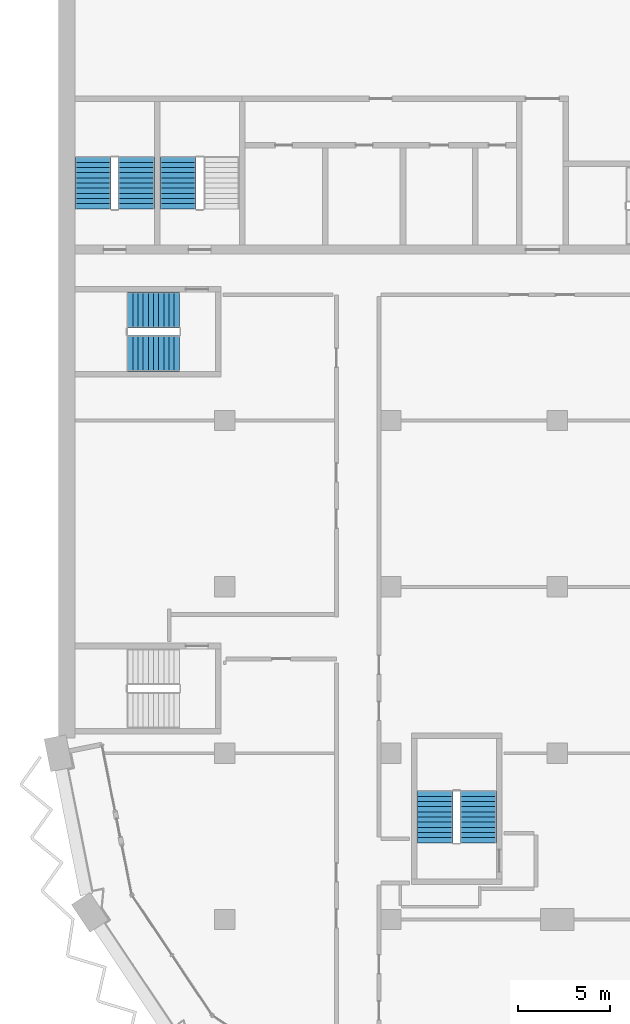
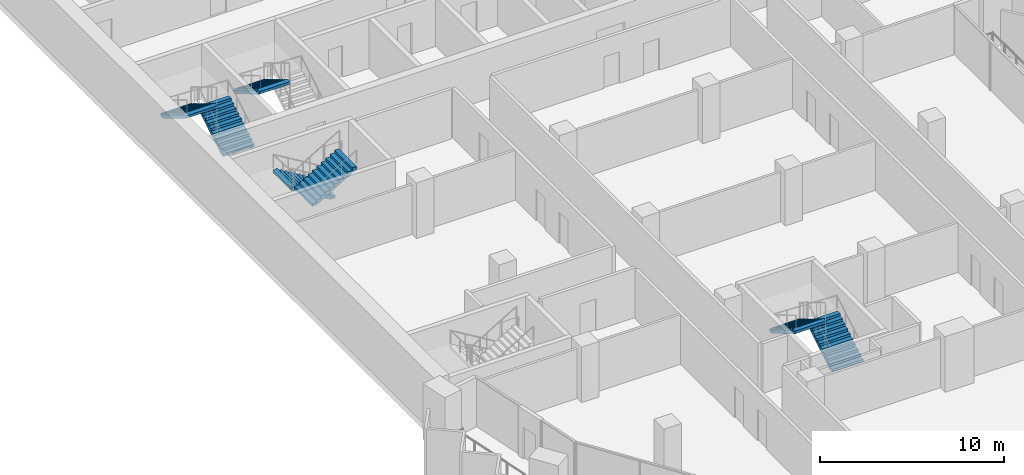
# One storey, part 12 of 17: 7 stair flights, 4 elements without a shape of their own.
"""IFC4 building model written with IfcOpenShell, lengths in metres."""

from ifc_helpers import new_model, si_unit, direction, frame, origin, place, context, subcontext, project, spatial, polyline, outline, extrude, material, type_object, element, aggregate, save


model = new_model("IFC4")

# Units and contexts
model_context = context("Model", 3, precision=1e-05, world=origin(), true_north=direction((0.0, 1.0)))
body_context = subcontext(model_context, "Body", "Model", "MODEL_VIEW")
ifc_project = project(units=[si_unit("LENGTHUNIT", "METRE"), si_unit("AREAUNIT", "SQUARE_METRE"), si_unit("VOLUMEUNIT", "CUBIC_METRE"), si_unit("PLANEANGLEUNIT", "RADIAN"), si_unit("MASSUNIT", "GRAM", prefix="KILO")], contexts=[model_context])

# Site, building, storey
site_placement = place(None, origin())
site = spatial("IfcSite", under=ifc_project, at=site_placement, CompositionType="ELEMENT")
building_placement = place(site_placement, origin())
building = spatial("IfcBuilding", under=site, at=building_placement, Name="Hunhe Ridgeline Campus", CompositionType="ELEMENT")
storey_placement = place(building_placement, frame((0.0, 0.0, 190.199951171875)))
storey = spatial("IfcBuildingStorey", under=building, at=storey_placement, Name="L48", CompositionType="ELEMENT", Elevation=190.199951171875)

# Stair, stair flights
ifc_material = material(Name="Concrete C40", Category="concrete")
stair_type = type_object("IfcStairType", Name="Reinforced concrete dog-leg stair 1950 Concrete C40", PredefinedType="HALF_TURN_STAIR", material=ifc_material)
stair_1_placement = place(storey_placement, origin())
stair_1 = element("IfcStair", 1, at=stair_1_placement, inside=storey, type_object=stair_type, Name="L48 S3", PredefinedType="HALF_TURN_STAIR")
stair_flight_type = type_object("IfcStairFlightType", Name="Reinforced concrete stair flight 1950 Concrete C40", PredefinedType="STRAIGHT", material=ifc_material)
stair_flight_1_placement = place(storey_placement, frame((4.22509765625, 65.449951171875, 0.0), z_axis=(0.0, 0.0, 1.0), x_axis=(0.0, 1.0, 0.0)))
stair_flight_1 = element("IfcStairFlight", 2, at=stair_flight_1_placement, type_object=stair_flight_type, Name="ST3 flight 1", NumberOfRisers=11, NumberOfTreads=10, PredefinedType="STRAIGHT", RiserHeight=0.168181818, TreadLength=0.28, context=body_context, shape_type="SweptSolid", body=[
    extrude(outline(polyline([(0.0, 0.0), (0.0, 0.168212890625), (0.280029296875, 0.168212890625), (0.280029296875, 0.33642578125), (0.56005859375, 0.33642578125), (0.56005859375, 0.504638671875), (0.840087890625, 0.504638671875), (0.840087890625, 0.672607421875), (1.1201171875, 0.672607421875), (1.1201171875, 0.8408203125), (1.39990234375, 0.8408203125), (1.39990234375, 1.009033203125), (1.679931640625, 1.009033203125), (1.679931640625, 1.17724609375), (1.9599609375, 1.17724609375), (1.9599609375, 1.345458984375), (2.239990234375, 1.345458984375), (2.239990234375, 1.513671875), (2.52001953125, 1.513671875), (2.52001953125, 1.681884765625), (2.800048828125, 1.681884765625), (2.800048828125, 1.85009765625), (2.800048828125, 1.5068359375), (0.291015625, 0.0), (0.0, 0.0)])), frame((0.0, 0.97509765625, 0.0), z_axis=(0.0, -1.0, 0.0), x_axis=(1.0, 0.0, 0.0)), (0.0, 0.0, 1.0), 1.949951171875),
    extrude(outline(polyline([(0.030029296875, 0.030029296875), (0.030029296875, 0.13818359375), (0.31005859375, 0.13818359375), (0.31005859375, 0.306396484375), (0.590087890625, 0.306396484375), (0.590087890625, 0.474609375), (0.8701171875, 0.474609375), (0.8701171875, 0.642578125), (1.14990234375, 0.642578125), (1.14990234375, 0.810791015625), (1.429931640625, 0.810791015625), (1.429931640625, 0.97900390625), (1.7099609375, 0.97900390625), (1.7099609375, 1.147216796875), (1.989990234375, 1.147216796875), (1.989990234375, 1.3154296875), (2.27001953125, 1.3154296875), (2.27001953125, 1.483642578125), (2.550048828125, 1.483642578125), (2.550048828125, 1.65185546875), (2.77001953125, 1.65185546875), (2.77001953125, 1.52392578125), (0.28271484375, 0.030029296875), (0.030029296875, 0.030029296875)])), frame((0.0, -0.070068359375, 0.0), z_axis=(0.0, -1.0, 0.0), x_axis=(1.0, 0.0, 0.0)), (0.0, 0.0, 1.0), 0.019775390625),
    extrude(outline(polyline([(0.030029296875, 0.030029296875), (0.030029296875, 0.13818359375), (0.31005859375, 0.13818359375), (0.31005859375, 0.306396484375), (0.590087890625, 0.306396484375), (0.590087890625, 0.474609375), (0.8701171875, 0.474609375), (0.8701171875, 0.642578125), (1.14990234375, 0.642578125), (1.14990234375, 0.810791015625), (1.429931640625, 0.810791015625), (1.429931640625, 0.97900390625), (1.7099609375, 0.97900390625), (1.7099609375, 1.147216796875), (1.989990234375, 1.147216796875), (1.989990234375, 1.3154296875), (2.27001953125, 1.3154296875), (2.27001953125, 1.483642578125), (2.550048828125, 1.483642578125), (2.550048828125, 1.65185546875), (2.77001953125, 1.65185546875), (2.77001953125, 1.52392578125), (0.28271484375, 0.030029296875), (0.030029296875, 0.030029296875)])), frame((0.0, 0.010009765625, 0.0), z_axis=(0.0, -1.0, 0.0), x_axis=(1.0, 0.0, 0.0)), (0.0, 0.0, 1.0), 0.019775390625),
    extrude(outline(polyline([(0.030029296875, 0.030029296875), (0.030029296875, 0.13818359375), (0.31005859375, 0.13818359375), (0.31005859375, 0.306396484375), (0.590087890625, 0.306396484375), (0.590087890625, 0.474609375), (0.8701171875, 0.474609375), (0.8701171875, 0.642578125), (1.14990234375, 0.642578125), (1.14990234375, 0.810791015625), (1.429931640625, 0.810791015625), (1.429931640625, 0.97900390625), (1.7099609375, 0.97900390625), (1.7099609375, 1.147216796875), (1.989990234375, 1.147216796875), (1.989990234375, 1.3154296875), (2.27001953125, 1.3154296875), (2.27001953125, 1.483642578125), (2.550048828125, 1.483642578125), (2.550048828125, 1.65185546875), (2.77001953125, 1.65185546875), (2.77001953125, 1.52392578125), (0.28271484375, 0.030029296875), (0.030029296875, 0.030029296875)])), frame((0.0, 0.090087890625, 0.0), z_axis=(0.0, -1.0, 0.0), x_axis=(1.0, 0.0, 0.0)), (0.0, 0.0, 1.0), 0.019775390625),
])
stair_flight_2_placement = place(storey_placement, frame((1.875, 68.25, 1.85009765625), z_axis=(0.0, 0.0, 1.0), x_axis=(0.0, -1.0, 0.0)))
stair_flight_2 = element("IfcStairFlight", 3, at=stair_flight_2_placement, type_object=stair_flight_type, Name="ST3 flight 2", NumberOfRisers=11, NumberOfTreads=10, PredefinedType="STRAIGHT", RiserHeight=0.168181818, TreadLength=0.28, context=body_context, shape_type="SweptSolid", body=[
    extrude(outline(polyline([(0.0, 0.0), (0.0, 0.168212890625), (0.280029296875, 0.168212890625), (0.280029296875, 0.33642578125), (0.56005859375, 0.33642578125), (0.56005859375, 0.504638671875), (0.840087890625, 0.504638671875), (0.840087890625, 0.672607421875), (1.1201171875, 0.672607421875), (1.1201171875, 0.8408203125), (1.39990234375, 0.8408203125), (1.39990234375, 1.009033203125), (1.679931640625, 1.009033203125), (1.679931640625, 1.17724609375), (1.9599609375, 1.17724609375), (1.9599609375, 1.345458984375), (2.239990234375, 1.345458984375), (2.239990234375, 1.513671875), (2.52001953125, 1.513671875), (2.52001953125, 1.681884765625), (2.800048828125, 1.681884765625), (2.800048828125, 1.85009765625), (2.800048828125, 1.5068359375), (0.291015625, 0.0), (0.0, 0.0)])), frame((0.0, 0.97509765625, 0.0), z_axis=(0.0, -1.0, 0.0), x_axis=(1.0, 0.0, 0.0)), (0.0, 0.0, 1.0), 1.949951171875),
    extrude(outline(polyline([(0.030029296875, 0.030029296875), (0.030029296875, 0.13818359375), (0.31005859375, 0.13818359375), (0.31005859375, 0.306396484375), (0.590087890625, 0.306396484375), (0.590087890625, 0.474609375), (0.8701171875, 0.474609375), (0.8701171875, 0.642578125), (1.14990234375, 0.642578125), (1.14990234375, 0.810791015625), (1.429931640625, 0.810791015625), (1.429931640625, 0.97900390625), (1.7099609375, 0.97900390625), (1.7099609375, 1.147216796875), (1.989990234375, 1.147216796875), (1.989990234375, 1.3154296875), (2.27001953125, 1.3154296875), (2.27001953125, 1.483642578125), (2.550048828125, 1.483642578125), (2.550048828125, 1.65185546875), (2.77001953125, 1.65185546875), (2.77001953125, 1.52392578125), (0.28271484375, 0.030029296875), (0.030029296875, 0.030029296875)])), frame((0.0, -0.070068359375, 0.0), z_axis=(0.0, -1.0, 0.0), x_axis=(1.0, 0.0, 0.0)), (0.0, 0.0, 1.0), 0.019775390625),
    extrude(outline(polyline([(0.030029296875, 0.030029296875), (0.030029296875, 0.13818359375), (0.31005859375, 0.13818359375), (0.31005859375, 0.306396484375), (0.590087890625, 0.306396484375), (0.590087890625, 0.474609375), (0.8701171875, 0.474609375), (0.8701171875, 0.642578125), (1.14990234375, 0.642578125), (1.14990234375, 0.810791015625), (1.429931640625, 0.810791015625), (1.429931640625, 0.97900390625), (1.7099609375, 0.97900390625), (1.7099609375, 1.147216796875), (1.989990234375, 1.147216796875), (1.989990234375, 1.3154296875), (2.27001953125, 1.3154296875), (2.27001953125, 1.483642578125), (2.550048828125, 1.483642578125), (2.550048828125, 1.65185546875), (2.77001953125, 1.65185546875), (2.77001953125, 1.52392578125), (0.28271484375, 0.030029296875), (0.030029296875, 0.030029296875)])), frame((0.0, 0.010009765625, 0.0), z_axis=(0.0, -1.0, 0.0), x_axis=(1.0, 0.0, 0.0)), (0.0, 0.0, 1.0), 0.019775390625),
    extrude(outline(polyline([(0.030029296875, 0.030029296875), (0.030029296875, 0.13818359375), (0.31005859375, 0.13818359375), (0.31005859375, 0.306396484375), (0.590087890625, 0.306396484375), (0.590087890625, 0.474609375), (0.8701171875, 0.474609375), (0.8701171875, 0.642578125), (1.14990234375, 0.642578125), (1.14990234375, 0.810791015625), (1.429931640625, 0.810791015625), (1.429931640625, 0.97900390625), (1.7099609375, 0.97900390625), (1.7099609375, 1.147216796875), (1.989990234375, 1.147216796875), (1.989990234375, 1.3154296875), (2.27001953125, 1.3154296875), (2.27001953125, 1.483642578125), (2.550048828125, 1.483642578125), (2.550048828125, 1.65185546875), (2.77001953125, 1.65185546875), (2.77001953125, 1.52392578125), (0.28271484375, 0.030029296875), (0.030029296875, 0.030029296875)])), frame((0.0, 0.090087890625, 0.0), z_axis=(0.0, -1.0, 0.0), x_axis=(1.0, 0.0, 0.0)), (0.0, 0.0, 1.0), 0.019775390625),
])
aggregate(stair_1, [stair_flight_1, stair_flight_2])

# Stair, stair flight
stair_2_placement = place(storey_placement, origin())
stair_2 = element("IfcStair", 4, at=stair_2_placement, inside=storey, type_object=stair_type, Name="L48 S4", PredefinedType="HALF_TURN_STAIR")
stair_flight_3_placement = place(storey_placement, frame((6.47509765625, 68.25, 1.85009765625), z_axis=(0.0, 0.0, 1.0), x_axis=(0.0, -1.0, 0.0)))
stair_flight_3 = element("IfcStairFlight", 5, at=stair_flight_3_placement, type_object=stair_flight_type, Name="ST4 flight 2", NumberOfRisers=11, NumberOfTreads=10, PredefinedType="STRAIGHT", RiserHeight=0.168181818, TreadLength=0.28, context=body_context, shape_type="SweptSolid", body=[
    extrude(outline(polyline([(0.0, 0.0), (0.0, 0.168212890625), (0.280029296875, 0.168212890625), (0.280029296875, 0.33642578125), (0.56005859375, 0.33642578125), (0.56005859375, 0.504638671875), (0.840087890625, 0.504638671875), (0.840087890625, 0.672607421875), (1.1201171875, 0.672607421875), (1.1201171875, 0.8408203125), (1.39990234375, 0.8408203125), (1.39990234375, 1.009033203125), (1.679931640625, 1.009033203125), (1.679931640625, 1.17724609375), (1.9599609375, 1.17724609375), (1.9599609375, 1.345458984375), (2.239990234375, 1.345458984375), (2.239990234375, 1.513671875), (2.52001953125, 1.513671875), (2.52001953125, 1.681884765625), (2.800048828125, 1.681884765625), (2.800048828125, 1.85009765625), (2.800048828125, 1.5068359375), (0.291015625, 0.0), (0.0, 0.0)])), frame((0.0, 0.97509765625, 0.0), z_axis=(0.0, -1.0, 0.0), x_axis=(1.0, 0.0, 0.0)), (0.0, 0.0, 1.0), 1.949951171875),
    extrude(outline(polyline([(0.030029296875, 0.030029296875), (0.030029296875, 0.13818359375), (0.31005859375, 0.13818359375), (0.31005859375, 0.306396484375), (0.590087890625, 0.306396484375), (0.590087890625, 0.474609375), (0.8701171875, 0.474609375), (0.8701171875, 0.642578125), (1.14990234375, 0.642578125), (1.14990234375, 0.810791015625), (1.429931640625, 0.810791015625), (1.429931640625, 0.97900390625), (1.7099609375, 0.97900390625), (1.7099609375, 1.147216796875), (1.989990234375, 1.147216796875), (1.989990234375, 1.3154296875), (2.27001953125, 1.3154296875), (2.27001953125, 1.483642578125), (2.550048828125, 1.483642578125), (2.550048828125, 1.65185546875), (2.77001953125, 1.65185546875), (2.77001953125, 1.52392578125), (0.28271484375, 0.030029296875), (0.030029296875, 0.030029296875)])), frame((0.0, -0.070068359375, 0.0), z_axis=(0.0, -1.0, 0.0), x_axis=(1.0, 0.0, 0.0)), (0.0, 0.0, 1.0), 0.019775390625),
    extrude(outline(polyline([(0.030029296875, 0.030029296875), (0.030029296875, 0.13818359375), (0.31005859375, 0.13818359375), (0.31005859375, 0.306396484375), (0.590087890625, 0.306396484375), (0.590087890625, 0.474609375), (0.8701171875, 0.474609375), (0.8701171875, 0.642578125), (1.14990234375, 0.642578125), (1.14990234375, 0.810791015625), (1.429931640625, 0.810791015625), (1.429931640625, 0.97900390625), (1.7099609375, 0.97900390625), (1.7099609375, 1.147216796875), (1.989990234375, 1.147216796875), (1.989990234375, 1.3154296875), (2.27001953125, 1.3154296875), (2.27001953125, 1.483642578125), (2.550048828125, 1.483642578125), (2.550048828125, 1.65185546875), (2.77001953125, 1.65185546875), (2.77001953125, 1.52392578125), (0.28271484375, 0.030029296875), (0.030029296875, 0.030029296875)])), frame((0.0, 0.010009765625, 0.0), z_axis=(0.0, -1.0, 0.0), x_axis=(1.0, 0.0, 0.0)), (0.0, 0.0, 1.0), 0.019775390625),
    extrude(outline(polyline([(0.030029296875, 0.030029296875), (0.030029296875, 0.13818359375), (0.31005859375, 0.13818359375), (0.31005859375, 0.306396484375), (0.590087890625, 0.306396484375), (0.590087890625, 0.474609375), (0.8701171875, 0.474609375), (0.8701171875, 0.642578125), (1.14990234375, 0.642578125), (1.14990234375, 0.810791015625), (1.429931640625, 0.810791015625), (1.429931640625, 0.97900390625), (1.7099609375, 0.97900390625), (1.7099609375, 1.147216796875), (1.989990234375, 1.147216796875), (1.989990234375, 1.3154296875), (2.27001953125, 1.3154296875), (2.27001953125, 1.483642578125), (2.550048828125, 1.483642578125), (2.550048828125, 1.65185546875), (2.77001953125, 1.65185546875), (2.77001953125, 1.52392578125), (0.28271484375, 0.030029296875), (0.030029296875, 0.030029296875)])), frame((0.0, 0.090087890625, 0.0), z_axis=(0.0, -1.0, 0.0), x_axis=(1.0, 0.0, 0.0)), (0.0, 0.0, 1.0), 0.019775390625),
])
aggregate(stair_2, [stair_flight_3])

# Stair, stair flights
stair_3_placement = place(storey_placement, origin())
stair_3 = element("IfcStair", 6, at=stair_3_placement, inside=storey, type_object=stair_type, Name="L48 W3", PredefinedType="HALF_TURN_STAIR")
stair_flight_4_placement = place(storey_placement, frame((22.72509765625, 31.14990234375, 0.0), z_axis=(0.0, 0.0, 1.0), x_axis=(0.0, 1.0, 0.0)))
stair_flight_4 = element("IfcStairFlight", 7, at=stair_flight_4_placement, type_object=stair_flight_type, Name="ST9 flight 1", NumberOfRisers=11, NumberOfTreads=10, PredefinedType="STRAIGHT", RiserHeight=0.168181818, TreadLength=0.28, context=body_context, shape_type="SweptSolid", body=[
    extrude(outline(polyline([(0.0, 0.0), (0.0, 0.168212890625), (0.280029296875, 0.168212890625), (0.280029296875, 0.33642578125), (0.56005859375, 0.33642578125), (0.56005859375, 0.504638671875), (0.840087890625, 0.504638671875), (0.840087890625, 0.672607421875), (1.1201171875, 0.672607421875), (1.1201171875, 0.8408203125), (1.39990234375, 0.8408203125), (1.39990234375, 1.009033203125), (1.679931640625, 1.009033203125), (1.679931640625, 1.17724609375), (1.9599609375, 1.17724609375), (1.9599609375, 1.345458984375), (2.239990234375, 1.345458984375), (2.239990234375, 1.513671875), (2.52001953125, 1.513671875), (2.52001953125, 1.681884765625), (2.800048828125, 1.681884765625), (2.800048828125, 1.85009765625), (2.800048828125, 1.5068359375), (0.291015625, 0.0), (0.0, 0.0)])), frame((0.0, 0.97509765625, 0.0), z_axis=(0.0, -1.0, 0.0), x_axis=(1.0, 0.0, 0.0)), (0.0, 0.0, 1.0), 1.949951171875),
    extrude(outline(polyline([(0.030029296875, 0.030029296875), (0.030029296875, 0.13818359375), (0.31005859375, 0.13818359375), (0.31005859375, 0.306396484375), (0.590087890625, 0.306396484375), (0.590087890625, 0.474609375), (0.8701171875, 0.474609375), (0.8701171875, 0.642578125), (1.14990234375, 0.642578125), (1.14990234375, 0.810791015625), (1.429931640625, 0.810791015625), (1.429931640625, 0.97900390625), (1.7099609375, 0.97900390625), (1.7099609375, 1.147216796875), (1.989990234375, 1.147216796875), (1.989990234375, 1.3154296875), (2.27001953125, 1.3154296875), (2.27001953125, 1.483642578125), (2.550048828125, 1.483642578125), (2.550048828125, 1.65185546875), (2.77001953125, 1.65185546875), (2.77001953125, 1.52392578125), (0.28271484375, 0.030029296875), (0.030029296875, 0.030029296875)])), frame((0.0, -0.070068359375, 0.0), z_axis=(0.0, -1.0, 0.0), x_axis=(1.0, 0.0, 0.0)), (0.0, 0.0, 1.0), 0.019775390625),
    extrude(outline(polyline([(0.030029296875, 0.030029296875), (0.030029296875, 0.13818359375), (0.31005859375, 0.13818359375), (0.31005859375, 0.306396484375), (0.590087890625, 0.306396484375), (0.590087890625, 0.474609375), (0.8701171875, 0.474609375), (0.8701171875, 0.642578125), (1.14990234375, 0.642578125), (1.14990234375, 0.810791015625), (1.429931640625, 0.810791015625), (1.429931640625, 0.97900390625), (1.7099609375, 0.97900390625), (1.7099609375, 1.147216796875), (1.989990234375, 1.147216796875), (1.989990234375, 1.3154296875), (2.27001953125, 1.3154296875), (2.27001953125, 1.483642578125), (2.550048828125, 1.483642578125), (2.550048828125, 1.65185546875), (2.77001953125, 1.65185546875), (2.77001953125, 1.52392578125), (0.28271484375, 0.030029296875), (0.030029296875, 0.030029296875)])), frame((0.0, 0.010009765625, 0.0), z_axis=(0.0, -1.0, 0.0), x_axis=(1.0, 0.0, 0.0)), (0.0, 0.0, 1.0), 0.019775390625),
    extrude(outline(polyline([(0.030029296875, 0.030029296875), (0.030029296875, 0.13818359375), (0.31005859375, 0.13818359375), (0.31005859375, 0.306396484375), (0.590087890625, 0.306396484375), (0.590087890625, 0.474609375), (0.8701171875, 0.474609375), (0.8701171875, 0.642578125), (1.14990234375, 0.642578125), (1.14990234375, 0.810791015625), (1.429931640625, 0.810791015625), (1.429931640625, 0.97900390625), (1.7099609375, 0.97900390625), (1.7099609375, 1.147216796875), (1.989990234375, 1.147216796875), (1.989990234375, 1.3154296875), (2.27001953125, 1.3154296875), (2.27001953125, 1.483642578125), (2.550048828125, 1.483642578125), (2.550048828125, 1.65185546875), (2.77001953125, 1.65185546875), (2.77001953125, 1.52392578125), (0.28271484375, 0.030029296875), (0.030029296875, 0.030029296875)])), frame((0.0, 0.090087890625, 0.0), z_axis=(0.0, -1.0, 0.0), x_axis=(1.0, 0.0, 0.0)), (0.0, 0.0, 1.0), 0.019775390625),
])
stair_flight_5_placement = place(storey_placement, frame((20.375, 33.949951171875, 1.85009765625), z_axis=(0.0, 0.0, 1.0), x_axis=(0.0, -1.0, 0.0)))
stair_flight_5 = element("IfcStairFlight", 8, at=stair_flight_5_placement, type_object=stair_flight_type, Name="ST9 flight 2", NumberOfRisers=11, NumberOfTreads=10, PredefinedType="STRAIGHT", RiserHeight=0.168181818, TreadLength=0.28, context=body_context, shape_type="SweptSolid", body=[
    extrude(outline(polyline([(0.0, 0.0), (0.0, 0.168212890625), (0.280029296875, 0.168212890625), (0.280029296875, 0.33642578125), (0.56005859375, 0.33642578125), (0.56005859375, 0.504638671875), (0.840087890625, 0.504638671875), (0.840087890625, 0.672607421875), (1.1201171875, 0.672607421875), (1.1201171875, 0.8408203125), (1.39990234375, 0.8408203125), (1.39990234375, 1.009033203125), (1.679931640625, 1.009033203125), (1.679931640625, 1.17724609375), (1.9599609375, 1.17724609375), (1.9599609375, 1.345458984375), (2.239990234375, 1.345458984375), (2.239990234375, 1.513671875), (2.52001953125, 1.513671875), (2.52001953125, 1.681884765625), (2.800048828125, 1.681884765625), (2.800048828125, 1.85009765625), (2.800048828125, 1.5068359375), (0.291015625, 0.0), (0.0, 0.0)])), frame((0.0, 0.97509765625, 0.0), z_axis=(0.0, -1.0, 0.0), x_axis=(1.0, 0.0, 0.0)), (0.0, 0.0, 1.0), 1.949951171875),
    extrude(outline(polyline([(0.030029296875, 0.030029296875), (0.030029296875, 0.13818359375), (0.31005859375, 0.13818359375), (0.31005859375, 0.306396484375), (0.590087890625, 0.306396484375), (0.590087890625, 0.474609375), (0.8701171875, 0.474609375), (0.8701171875, 0.642578125), (1.14990234375, 0.642578125), (1.14990234375, 0.810791015625), (1.429931640625, 0.810791015625), (1.429931640625, 0.97900390625), (1.7099609375, 0.97900390625), (1.7099609375, 1.147216796875), (1.989990234375, 1.147216796875), (1.989990234375, 1.3154296875), (2.27001953125, 1.3154296875), (2.27001953125, 1.483642578125), (2.550048828125, 1.483642578125), (2.550048828125, 1.65185546875), (2.77001953125, 1.65185546875), (2.77001953125, 1.52392578125), (0.28271484375, 0.030029296875), (0.030029296875, 0.030029296875)])), frame((0.0, -0.070068359375, 0.0), z_axis=(0.0, -1.0, 0.0), x_axis=(1.0, 0.0, 0.0)), (0.0, 0.0, 1.0), 0.019775390625),
    extrude(outline(polyline([(0.030029296875, 0.030029296875), (0.030029296875, 0.13818359375), (0.31005859375, 0.13818359375), (0.31005859375, 0.306396484375), (0.590087890625, 0.306396484375), (0.590087890625, 0.474609375), (0.8701171875, 0.474609375), (0.8701171875, 0.642578125), (1.14990234375, 0.642578125), (1.14990234375, 0.810791015625), (1.429931640625, 0.810791015625), (1.429931640625, 0.97900390625), (1.7099609375, 0.97900390625), (1.7099609375, 1.147216796875), (1.989990234375, 1.147216796875), (1.989990234375, 1.3154296875), (2.27001953125, 1.3154296875), (2.27001953125, 1.483642578125), (2.550048828125, 1.483642578125), (2.550048828125, 1.65185546875), (2.77001953125, 1.65185546875), (2.77001953125, 1.52392578125), (0.28271484375, 0.030029296875), (0.030029296875, 0.030029296875)])), frame((0.0, 0.010009765625, 0.0), z_axis=(0.0, -1.0, 0.0), x_axis=(1.0, 0.0, 0.0)), (0.0, 0.0, 1.0), 0.019775390625),
    extrude(outline(polyline([(0.030029296875, 0.030029296875), (0.030029296875, 0.13818359375), (0.31005859375, 0.13818359375), (0.31005859375, 0.306396484375), (0.590087890625, 0.306396484375), (0.590087890625, 0.474609375), (0.8701171875, 0.474609375), (0.8701171875, 0.642578125), (1.14990234375, 0.642578125), (1.14990234375, 0.810791015625), (1.429931640625, 0.810791015625), (1.429931640625, 0.97900390625), (1.7099609375, 0.97900390625), (1.7099609375, 1.147216796875), (1.989990234375, 1.147216796875), (1.989990234375, 1.3154296875), (2.27001953125, 1.3154296875), (2.27001953125, 1.483642578125), (2.550048828125, 1.483642578125), (2.550048828125, 1.65185546875), (2.77001953125, 1.65185546875), (2.77001953125, 1.52392578125), (0.28271484375, 0.030029296875), (0.030029296875, 0.030029296875)])), frame((0.0, 0.090087890625, 0.0), z_axis=(0.0, -1.0, 0.0), x_axis=(1.0, 0.0, 0.0)), (0.0, 0.0, 1.0), 0.019775390625),
])
aggregate(stair_3, [stair_flight_4, stair_flight_5])

stair_4_placement = place(storey_placement, origin())
stair_4 = element("IfcStair", 9, at=stair_4_placement, inside=storey, type_object=stair_type, Name="L48 W2", PredefinedType="HALF_TURN_STAIR")
stair_flight_6_placement = place(storey_placement, frame((6.550048828125, 59.97509765625, 0.0), z_axis=(0.0, 0.0, 1.0), x_axis=(-1.0, 0.0, 0.0)))
stair_flight_6 = element("IfcStairFlight", 10, at=stair_flight_6_placement, type_object=stair_flight_type, Name="ST12 flight 1", NumberOfRisers=11, NumberOfTreads=10, PredefinedType="STRAIGHT", RiserHeight=0.168181818, TreadLength=0.28, context=body_context, shape_type="SweptSolid", body=[
    extrude(outline(polyline([(0.0, 0.0), (0.0, 0.168212890625), (0.280029296875, 0.168212890625), (0.280029296875, 0.33642578125), (0.56005859375, 0.33642578125), (0.56005859375, 0.504638671875), (0.840087890625, 0.504638671875), (0.840087890625, 0.672607421875), (1.1201171875, 0.672607421875), (1.1201171875, 0.8408203125), (1.39990234375, 0.8408203125), (1.39990234375, 1.009033203125), (1.679931640625, 1.009033203125), (1.679931640625, 1.17724609375), (1.9599609375, 1.17724609375), (1.9599609375, 1.345458984375), (2.239990234375, 1.345458984375), (2.239990234375, 1.513671875), (2.52001953125, 1.513671875), (2.52001953125, 1.681884765625), (2.800048828125, 1.681884765625), (2.800048828125, 1.85009765625), (2.800048828125, 1.5068359375), (0.291015625, 0.0), (0.0, 0.0)])), frame((0.0, 0.97509765625, 0.0), z_axis=(0.0, -1.0, 0.0), x_axis=(1.0, 0.0, 0.0)), (0.0, 0.0, 1.0), 1.949951171875),
    extrude(outline(polyline([(0.030029296875, 0.030029296875), (0.030029296875, 0.13818359375), (0.31005859375, 0.13818359375), (0.31005859375, 0.306396484375), (0.590087890625, 0.306396484375), (0.590087890625, 0.474609375), (0.8701171875, 0.474609375), (0.8701171875, 0.642578125), (1.14990234375, 0.642578125), (1.14990234375, 0.810791015625), (1.429931640625, 0.810791015625), (1.429931640625, 0.97900390625), (1.7099609375, 0.97900390625), (1.7099609375, 1.147216796875), (1.989990234375, 1.147216796875), (1.989990234375, 1.3154296875), (2.27001953125, 1.3154296875), (2.27001953125, 1.483642578125), (2.550048828125, 1.483642578125), (2.550048828125, 1.65185546875), (2.77001953125, 1.65185546875), (2.77001953125, 1.52392578125), (0.28271484375, 0.030029296875), (0.030029296875, 0.030029296875)])), frame((0.0, -0.070068359375, 0.0), z_axis=(0.0, -1.0, 0.0), x_axis=(1.0, 0.0, 0.0)), (0.0, 0.0, 1.0), 0.019775390625),
    extrude(outline(polyline([(0.030029296875, 0.030029296875), (0.030029296875, 0.13818359375), (0.31005859375, 0.13818359375), (0.31005859375, 0.306396484375), (0.590087890625, 0.306396484375), (0.590087890625, 0.474609375), (0.8701171875, 0.474609375), (0.8701171875, 0.642578125), (1.14990234375, 0.642578125), (1.14990234375, 0.810791015625), (1.429931640625, 0.810791015625), (1.429931640625, 0.97900390625), (1.7099609375, 0.97900390625), (1.7099609375, 1.147216796875), (1.989990234375, 1.147216796875), (1.989990234375, 1.3154296875), (2.27001953125, 1.3154296875), (2.27001953125, 1.483642578125), (2.550048828125, 1.483642578125), (2.550048828125, 1.65185546875), (2.77001953125, 1.65185546875), (2.77001953125, 1.52392578125), (0.28271484375, 0.030029296875), (0.030029296875, 0.030029296875)])), frame((0.0, 0.010009765625, 0.0), z_axis=(0.0, -1.0, 0.0), x_axis=(1.0, 0.0, 0.0)), (0.0, 0.0, 1.0), 0.019775390625),
    extrude(outline(polyline([(0.030029296875, 0.030029296875), (0.030029296875, 0.13818359375), (0.31005859375, 0.13818359375), (0.31005859375, 0.306396484375), (0.590087890625, 0.306396484375), (0.590087890625, 0.474609375), (0.8701171875, 0.474609375), (0.8701171875, 0.642578125), (1.14990234375, 0.642578125), (1.14990234375, 0.810791015625), (1.429931640625, 0.810791015625), (1.429931640625, 0.97900390625), (1.7099609375, 0.97900390625), (1.7099609375, 1.147216796875), (1.989990234375, 1.147216796875), (1.989990234375, 1.3154296875), (2.27001953125, 1.3154296875), (2.27001953125, 1.483642578125), (2.550048828125, 1.483642578125), (2.550048828125, 1.65185546875), (2.77001953125, 1.65185546875), (2.77001953125, 1.52392578125), (0.28271484375, 0.030029296875), (0.030029296875, 0.030029296875)])), frame((0.0, 0.090087890625, 0.0), z_axis=(0.0, -1.0, 0.0), x_axis=(1.0, 0.0, 0.0)), (0.0, 0.0, 1.0), 0.019775390625),
])
stair_flight_7_placement = place(storey_placement, frame((3.75, 57.625, 1.85009765625), z_axis=(0.0, 0.0, 1.0), x_axis=(1.0, 0.0, 0.0)))
stair_flight_7 = element("IfcStairFlight", 11, at=stair_flight_7_placement, type_object=stair_flight_type, Name="ST12 flight 2", NumberOfRisers=11, NumberOfTreads=10, PredefinedType="STRAIGHT", RiserHeight=0.168181818, TreadLength=0.28, context=body_context, shape_type="SweptSolid", body=[
    extrude(outline(polyline([(0.0, 0.0), (0.0, 0.168212890625), (0.280029296875, 0.168212890625), (0.280029296875, 0.33642578125), (0.56005859375, 0.33642578125), (0.56005859375, 0.504638671875), (0.840087890625, 0.504638671875), (0.840087890625, 0.672607421875), (1.1201171875, 0.672607421875), (1.1201171875, 0.8408203125), (1.39990234375, 0.8408203125), (1.39990234375, 1.009033203125), (1.679931640625, 1.009033203125), (1.679931640625, 1.17724609375), (1.9599609375, 1.17724609375), (1.9599609375, 1.345458984375), (2.239990234375, 1.345458984375), (2.239990234375, 1.513671875), (2.52001953125, 1.513671875), (2.52001953125, 1.681884765625), (2.800048828125, 1.681884765625), (2.800048828125, 1.85009765625), (2.800048828125, 1.5068359375), (0.291015625, 0.0), (0.0, 0.0)])), frame((0.0, 0.97509765625, 0.0), z_axis=(0.0, -1.0, 0.0), x_axis=(1.0, 0.0, 0.0)), (0.0, 0.0, 1.0), 1.949951171875),
    extrude(outline(polyline([(0.030029296875, 0.030029296875), (0.030029296875, 0.13818359375), (0.31005859375, 0.13818359375), (0.31005859375, 0.306396484375), (0.590087890625, 0.306396484375), (0.590087890625, 0.474609375), (0.8701171875, 0.474609375), (0.8701171875, 0.642578125), (1.14990234375, 0.642578125), (1.14990234375, 0.810791015625), (1.429931640625, 0.810791015625), (1.429931640625, 0.97900390625), (1.7099609375, 0.97900390625), (1.7099609375, 1.147216796875), (1.989990234375, 1.147216796875), (1.989990234375, 1.3154296875), (2.27001953125, 1.3154296875), (2.27001953125, 1.483642578125), (2.550048828125, 1.483642578125), (2.550048828125, 1.65185546875), (2.77001953125, 1.65185546875), (2.77001953125, 1.52392578125), (0.28271484375, 0.030029296875), (0.030029296875, 0.030029296875)])), frame((0.0, -0.070068359375, 0.0), z_axis=(0.0, -1.0, 0.0), x_axis=(1.0, 0.0, 0.0)), (0.0, 0.0, 1.0), 0.019775390625),
    extrude(outline(polyline([(0.030029296875, 0.030029296875), (0.030029296875, 0.13818359375), (0.31005859375, 0.13818359375), (0.31005859375, 0.306396484375), (0.590087890625, 0.306396484375), (0.590087890625, 0.474609375), (0.8701171875, 0.474609375), (0.8701171875, 0.642578125), (1.14990234375, 0.642578125), (1.14990234375, 0.810791015625), (1.429931640625, 0.810791015625), (1.429931640625, 0.97900390625), (1.7099609375, 0.97900390625), (1.7099609375, 1.147216796875), (1.989990234375, 1.147216796875), (1.989990234375, 1.3154296875), (2.27001953125, 1.3154296875), (2.27001953125, 1.483642578125), (2.550048828125, 1.483642578125), (2.550048828125, 1.65185546875), (2.77001953125, 1.65185546875), (2.77001953125, 1.52392578125), (0.28271484375, 0.030029296875), (0.030029296875, 0.030029296875)])), frame((0.0, 0.010009765625, 0.0), z_axis=(0.0, -1.0, 0.0), x_axis=(1.0, 0.0, 0.0)), (0.0, 0.0, 1.0), 0.019775390625),
    extrude(outline(polyline([(0.030029296875, 0.030029296875), (0.030029296875, 0.13818359375), (0.31005859375, 0.13818359375), (0.31005859375, 0.306396484375), (0.590087890625, 0.306396484375), (0.590087890625, 0.474609375), (0.8701171875, 0.474609375), (0.8701171875, 0.642578125), (1.14990234375, 0.642578125), (1.14990234375, 0.810791015625), (1.429931640625, 0.810791015625), (1.429931640625, 0.97900390625), (1.7099609375, 0.97900390625), (1.7099609375, 1.147216796875), (1.989990234375, 1.147216796875), (1.989990234375, 1.3154296875), (2.27001953125, 1.3154296875), (2.27001953125, 1.483642578125), (2.550048828125, 1.483642578125), (2.550048828125, 1.65185546875), (2.77001953125, 1.65185546875), (2.77001953125, 1.52392578125), (0.28271484375, 0.030029296875), (0.030029296875, 0.030029296875)])), frame((0.0, 0.090087890625, 0.0), z_axis=(0.0, -1.0, 0.0), x_axis=(1.0, 0.0, 0.0)), (0.0, 0.0, 1.0), 0.019775390625),
])
aggregate(stair_4, [stair_flight_6, stair_flight_7])

save(model, "model.ifc")
